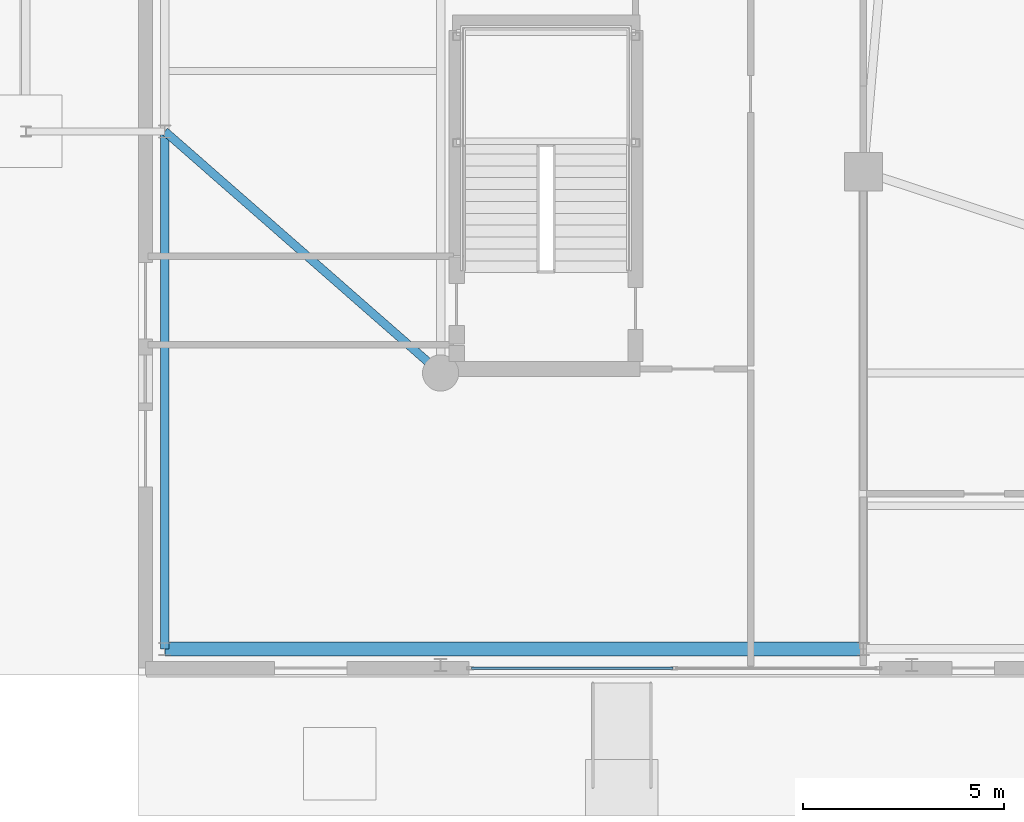
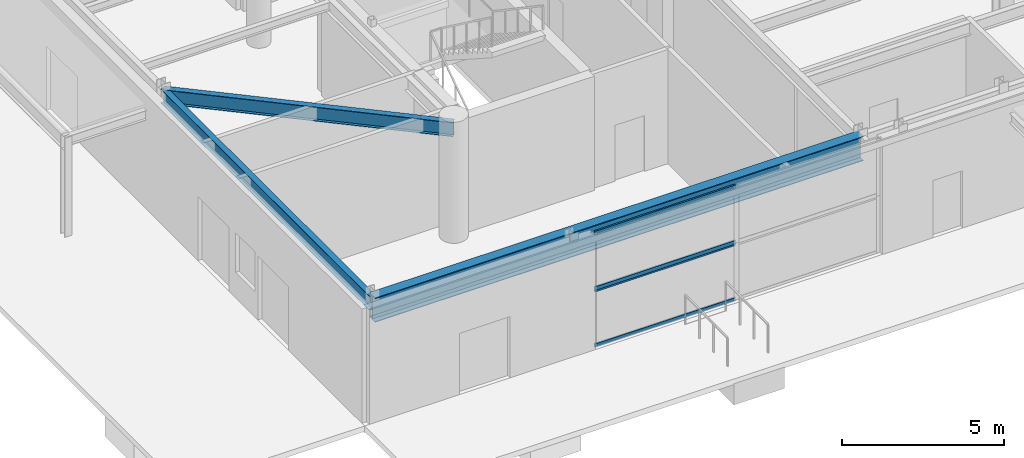
# One storey, part 8 of 29: 4 members, 3 beams, 2 elements without a shape of their own.
"""IFC4 building model written with IfcOpenShell, lengths in metres."""

import ifcopenshell
import ifcopenshell.guid

model = None  # the IFC model being written
_history = None  # IfcOwnerHistory: only IFC2X3 demands one
_inside = {}  # id of a spatial element -> (the spatial element, [elements in it])
_under = {}  # id of a project, library or spatial element -> (it, [spatial elements below it])
_declared = {}  # id of a project -> (the project, [libraries it declares])
_typed = {}  # id of a type object -> (the type object, [elements of that type])
_made_of = {}  # id of a material, layer set ... -> (it, [elements and type objects made of it])


def new_model(schema):
    """Start an empty IFC model of exactly this schema.

    Asked for "IFC4X3", IfcOpenShell would pick the latest addendum, in which some entities
    have other attributes; the version numbers below select the first issue.
    IFC2X3 requires an IfcOwnerHistory on every rooted entity: one is made here for all.
    """
    global model, _history
    if schema == "IFC4X3":
        model = ifcopenshell.file(schema_version=(4, 3, 0, 0))
    else:
        model = ifcopenshell.file(schema=schema)
    _inside.clear()
    _under.clear()
    _declared.clear()
    _typed.clear()
    _made_of.clear()
    _history = None
    if model.schema == "IFC2X3":
        org = make("IfcOrganization", Name="unknown")
        user = make(
            "IfcPersonAndOrganization",
            ThePerson=make("IfcPerson", FamilyName="unknown"),
            TheOrganization=org,
        )
        app = make(
            "IfcApplication",
            ApplicationDeveloper=org,
            Version="unknown",
            ApplicationFullName="unknown",
            ApplicationIdentifier="unknown",
        )
        _history = make(
            "IfcOwnerHistory",
            OwningUser=user,
            OwningApplication=app,
            ChangeAction="ADDED",
            CreationDate=0,
        )
    return model


def make(cls, **values):
    """One entity of the class cls with the attributes given. An attribute that is None is left unset."""
    return model.create_entity(
        cls, **{name: value for name, value in values.items() if value is not None}
    )


def rooted(cls, **values):
    """An entity with a GlobalId (a new one), such as an element, a storey or a relation."""
    return make(cls, GlobalId=ifcopenshell.guid.new(), OwnerHistory=_history, **values)


def si_unit(unit_type, name, prefix=None):
    """IfcSIUnit, for example si_unit("LENGTHUNIT", "METRE", prefix="MILLI")."""
    return make("IfcSIUnit", UnitType=unit_type, Prefix=prefix, Name=name)


def assignment(units):
    """IfcUnitAssignment: the units of a project."""
    return None if units is None else make("IfcUnitAssignment", Units=units)


def point(xyz):
    """IfcCartesianPoint."""
    return None if xyz is None else make("IfcCartesianPoint", Coordinates=xyz)


def direction(xyz):
    """IfcDirection."""
    return None if xyz is None else make("IfcDirection", DirectionRatios=xyz)


def frame(location, z_axis=None, x_axis=None):
    """IfcAxis2Placement3D, a coordinate frame: its origin and axes. An axis left out is left unset."""
    return make(
        "IfcAxis2Placement3D",
        Location=point(location),
        Axis=direction(z_axis),
        RefDirection=direction(x_axis),
    )


def frame_2d(location, x_axis=None):
    """IfcAxis2Placement2D, a coordinate frame in the plane: its origin and x axis."""
    return make(
        "IfcAxis2Placement2D", Location=point(location), RefDirection=direction(x_axis)
    )


def origin():
    """The frame at (0, 0, 0) with its axes left unset."""
    return frame((0.0, 0.0, 0.0))


def origin_2d():
    """The frame at (0, 0) in the plane with its x axis left unset."""
    return frame_2d((0.0, 0.0))


def place(relative_to, where):
    """IfcLocalPlacement: puts the frame where relative to a parent placement (None: the world)."""
    return make(
        "IfcLocalPlacement", PlacementRelTo=relative_to, RelativePlacement=where
    )


def context(
    kind, dimensions, precision=None, world=None, true_north=None, identifier=None
):
    """IfcGeometricRepresentationContext, for example the 3D "Model" context."""
    return make(
        "IfcGeometricRepresentationContext",
        ContextIdentifier=identifier,
        ContextType=kind,
        CoordinateSpaceDimension=dimensions,
        Precision=precision,
        WorldCoordinateSystem=world,
        TrueNorth=true_north,
    )


def subcontext(parent, identifier, kind, view, scale=None):
    """IfcGeometricRepresentationSubContext, for example "Body" below "Model"."""
    return make(
        "IfcGeometricRepresentationSubContext",
        ContextIdentifier=identifier,
        ContextType=kind,
        ParentContext=parent,
        TargetScale=scale,
        TargetView=view,
    )


def project(units=None, contexts=None):
    """IfcProject with its units and contexts."""
    return rooted(
        "IfcProject",
        Name="project",
        RepresentationContexts=contexts,
        UnitsInContext=assignment(units),
    )


def spatial(cls, under=None, at=None, **own):
    """A site, building, storey or space (cls), placed at a placement, below another one or the project."""
    s = rooted(cls, ObjectPlacement=at, **own)
    if under is not None:
        _under.setdefault(under.id(), (under, []))[1].append(s)
    return s


def profile(cls, at=None, kind="AREA", **sizes):
    """A parametric profile (cls). Its sizes go by their IFC names, for example OverallWidth=200.0."""
    return make(cls, ProfileType=kind, Position=at, **sizes)


def hollow_rectangle(**sizes):
    """IfcRectangleHollowProfileDef."""
    return profile("IfcRectangleHollowProfileDef", **sizes)


def i_section(**sizes):
    """IfcIShapeProfileDef."""
    return profile("IfcIShapeProfileDef", **sizes)


def extrude(swept, where, along, depth):
    """IfcExtrudedAreaSolid: the profile swept, set in the frame where, extruded along a direction by depth."""
    return make(
        "IfcExtrudedAreaSolid",
        SweptArea=swept,
        Position=where,
        ExtrudedDirection=direction(along),
        Depth=depth,
    )


def shape(context_of_items, identifier, shape_type, items):
    """IfcShapeRepresentation: the items that make up one representation, for example the "Body"."""
    return make(
        "IfcShapeRepresentation",
        ContextOfItems=context_of_items,
        RepresentationIdentifier=identifier,
        RepresentationType=shape_type,
        Items=items,
    )


def source(mapping_origin, context_of_items, identifier, shape_type, items):
    """IfcRepresentationMap: a shape defined once, which mapped items show again and again."""
    return make(
        "IfcRepresentationMap",
        MappingOrigin=mapping_origin,
        MappedRepresentation=shape(context_of_items, identifier, shape_type, items),
    )


def transform(
    local_origin,
    x_axis=None,
    y_axis=None,
    z_axis=None,
    scale=None,
    scale2=None,
    scale3=None,
    uniform=True,
):
    """IfcCartesianTransformationOperator3D, or its non-uniform kind. x_axis, y_axis, z_axis: its Axis1, 2, 3."""
    if uniform:
        return make(
            "IfcCartesianTransformationOperator3D",
            Axis1=direction(x_axis),
            Axis2=direction(y_axis),
            LocalOrigin=point(local_origin),
            Scale=scale,
            Axis3=direction(z_axis),
        )
    return make(
        "IfcCartesianTransformationOperator3DnonUniform",
        Axis1=direction(x_axis),
        Axis2=direction(y_axis),
        LocalOrigin=point(local_origin),
        Scale=scale,
        Axis3=direction(z_axis),
        Scale2=scale2,
        Scale3=scale3,
    )


def mapped(mapping_source, mapping_target):
    """IfcMappedItem: shows the shape of a source again, moved by a transform."""
    return make(
        "IfcMappedItem", MappingSource=mapping_source, MappingTarget=mapping_target
    )


def material(Name=None, Category=None):
    """IfcMaterial."""
    return make("IfcMaterial", Name=Name, Category=Category)


def layer(
    of_material, thickness, ventilated=None, Name=None, Category=None, Priority=None
):
    """IfcMaterialLayer: one layer of a wall or slab, of a material (None: an air gap)."""
    return make(
        "IfcMaterialLayer",
        Material=of_material,
        LayerThickness=thickness,
        IsVentilated=ventilated,
        Name=Name,
        Category=Category,
        Priority=Priority,
    )


def layer_set(layers, Name=None):
    """IfcMaterialLayerSet."""
    return make("IfcMaterialLayerSet", MaterialLayers=layers, LayerSetName=Name)


def material_profile(
    of_material, cross_section, Name=None, Category=None, Priority=None
):
    """IfcMaterialProfile: a cross section and its material."""
    return make(
        "IfcMaterialProfile",
        Name=Name,
        Material=of_material,
        Profile=cross_section,
        Priority=Priority,
        Category=Category,
    )


def profile_set(profiles, Name=None, composite=None):
    """IfcMaterialProfileSet."""
    return make(
        "IfcMaterialProfileSet",
        Name=Name,
        MaterialProfiles=profiles,
        CompositeProfile=composite,
    )


def made_of(thing, what):
    """Note that an element or type object is made of a material, layer set ...; save() writes the relation."""
    if what is not None:
        _made_of.setdefault(what.id(), (what, []))[1].append(thing)
    return thing


def type_object(cls, material=None, **own):
    """A type object (cls), such as IfcWallType, which elements share."""
    return made_of(rooted(cls, **own), material)


def element(
    cls,
    number,
    at=None,
    inside=None,
    cuts=None,
    type_object=None,
    material=None,
    context=None,
    identifier="Body",
    shape_type=None,
    held_by="IfcProductDefinitionShape",
    body=None,
    shapes=None,
    **own,
):
    """One element of the class cls, such as IfcWall. Its Tag is "e" and its number.

    at: its placement. inside: the storey or other place that contains it. cuts: it is an
    opening in that element (IfcRelVoidsElement). A single representation is given by context,
    identifier, shape_type and body (its items); several are given by shapes. held_by: the class
    of the entity that holds the representations. save() writes the other relations.
    """
    e = rooted(cls, Tag="e%d" % number, ObjectPlacement=at, **own)
    if body is not None:
        shapes = [shape(context, identifier, shape_type, body)]
    if shapes is not None:
        e.Representation = make(held_by, Representations=shapes)
    if inside is not None:
        _inside.setdefault(inside.id(), (inside, []))[1].append(e)
    if cuts is not None:
        rooted(
            "IfcRelVoidsElement", RelatingBuildingElement=cuts, RelatedOpeningElement=e
        )
    if type_object is not None:
        _typed.setdefault(type_object.id(), (type_object, []))[1].append(e)
    return made_of(e, material)


def aggregate(whole, parts):
    """IfcRelAggregates: a whole, such as a stair, and the parts it consists of."""
    return rooted("IfcRelAggregates", RelatingObject=whole, RelatedObjects=parts)


def save(model, path):
    """Write the relations noted so far, then the file.

    IfcRelAggregates (storeys below a building ...), IfcRelContainedInSpatialStructure (elements
    in a storey), IfcRelDefinesByType, IfcRelAssociatesMaterial and IfcRelDeclares: one each for
    every whole, place, type object, material and project.
    """
    for whole, parts in _under.values():
        aggregate(whole, parts)
    for where, things in _inside.values():
        rooted(
            "IfcRelContainedInSpatialStructure",
            RelatedElements=things,
            RelatingStructure=where,
        )
    for kind, things in _typed.values():
        rooted("IfcRelDefinesByType", RelatedObjects=things, RelatingType=kind)
    for what, things in _made_of.values():
        rooted("IfcRelAssociatesMaterial", RelatedObjects=things, RelatingMaterial=what)
    for by, libraries in _declared.values():
        rooted("IfcRelDeclares", RelatingContext=by, RelatedDefinitions=libraries)
    model.write(path)


model = new_model("IFC4")

# Units and contexts
model_context = context("Model", 3, precision=1e-05, world=origin(), true_north=direction((0.0, 1.0)))
body_context = subcontext(model_context, "Body", "Model", "MODEL_VIEW")
ifc_project = project(units=[si_unit("LENGTHUNIT", "METRE"), si_unit("AREAUNIT", "SQUARE_METRE"), si_unit("VOLUMEUNIT", "CUBIC_METRE"), si_unit("PLANEANGLEUNIT", "RADIAN"), si_unit("MASSUNIT", "GRAM", prefix="KILO")], contexts=[model_context])

# Site, building, storey
site_placement = place(None, origin())
site = spatial("IfcSite", under=ifc_project, at=site_placement, CompositionType="ELEMENT")
building_placement = place(site_placement, origin())
building = spatial("IfcBuilding", under=site, at=building_placement, Name="Taldren Reach Tower", CompositionType="ELEMENT")
storey_placement = place(building_placement, origin())
storey = spatial("IfcBuildingStorey", under=building, at=storey_placement, Name="L00", CompositionType="ELEMENT", Elevation=0.0)

# Beams
ifc_material_1 = material(Name="Steel Gr 350 (350PLUS)", Category="steel")
ifc_material_profile_1 = material_profile(ifc_material_1, i_section(OverallWidth=0.35009765625, OverallDepth=0.916015625, WebThickness=0.013916015625, FlangeThickness=0.028076171875, at=origin_2d()), Name="900WB257")
ifc_profile_set_1 = profile_set([ifc_material_profile_1], Name="Steel Gr 350 (350PLUS)")
beam_type_1 = type_object("IfcBeamType", Name="BM-WB900", PredefinedType="BEAM", material=ifc_profile_set_1)
shared_shape_1 = source(origin(), body_context, "Body", "SweptSolid", [
    extrude(i_section(OverallWidth=0.35009765625, OverallDepth=0.916015625, WebThickness=0.013916015625, FlangeThickness=0.028076171875, at=origin_2d()), origin(), (0.0, 0.0, 1.0), 17.35009765625),
])
beam_1_placement = place(storey_placement, frame((0.64990234375, 0.64990234375, 3.83203125), z_axis=(1.0, 0.0, 0.0), x_axis=(0.0, 1.0, 0.0)))
element("IfcBeam", 1, at=beam_1_placement, inside=storey, type_object=beam_type_1, Name="Podium girder L00-PD01", PredefinedType="BEAM", context=body_context, shape_type="MappedRepresentation", body=[
    mapped(shared_shape_1, transform((0.0, 0.0, 0.0), scale=1.0)),
])
ifc_material_profile_2 = material_profile(ifc_material_1, i_section(OverallWidth=0.208984375, OverallDepth=0.528076171875, WebThickness=0.009521484375, FlangeThickness=0.01318359375, at=origin_2d()), Name="530UB82.0")
ifc_profile_set_2 = profile_set([ifc_material_profile_2], Name="Steel Gr 350 (350PLUS)")
beam_type_2 = type_object("IfcBeamType", Name="SP-UB530B", PredefinedType="SPANDREL", material=ifc_profile_set_2)
shared_shape_2 = source(origin(), body_context, "Body", "SweptSolid", [
    extrude(i_section(OverallWidth=0.208984375, OverallDepth=0.528076171875, WebThickness=0.009521484375, FlangeThickness=0.01318359375, at=origin_2d()), origin(), (0.0, 0.0, 1.0), 12.85009765625),
])
beam_2_placement = place(storey_placement, frame((0.64990234375, 0.64990234375, 4.02587890625), z_axis=(0.0, 1.0, 0.0), x_axis=(-1.0, 0.0, 0.0)))
element("IfcBeam", 2, at=beam_2_placement, inside=storey, type_object=beam_type_2, Name="Podium beam L00-PD12", PredefinedType="SPANDREL", context=body_context, shape_type="MappedRepresentation", body=[
    mapped(shared_shape_2, transform((0.0, 0.0, 0.0), scale=1.0)),
])
ifc_material_profile_3 = material_profile(ifc_material_1, i_section(OverallWidth=0.208984375, OverallDepth=0.532958984375, WebThickness=0.01025390625, FlangeThickness=0.015625, at=origin_2d()), Name="530UB92.4")
ifc_profile_set_3 = profile_set([ifc_material_profile_3], Name="Steel Gr 350 (350PLUS)")
beam_type_3 = type_object("IfcBeamType", Name="BM-UB530A", PredefinedType="BEAM", material=ifc_profile_set_3)
shared_shape_3 = source(origin(), body_context, "Body", "SweptSolid", [
    extrude(i_section(OverallWidth=0.208984375, OverallDepth=0.532958984375, WebThickness=0.01025390625, FlangeThickness=0.015625, at=origin_2d()), origin(), (0.0, 0.0, 1.0), 9.106201171875),
])
beam_3_placement = place(storey_placement, frame((0.64990234375, 13.5, 4.0234375), z_axis=(0.75224111342, -0.658887932262, 0.0), x_axis=(0.658887932262, 0.75224111342, 0.0)))
element("IfcBeam", 3, at=beam_3_placement, inside=storey, type_object=beam_type_3, Name="Podium beam L00-PD18", PredefinedType="BEAM", context=body_context, shape_type="MappedRepresentation", body=[
    mapped(shared_shape_3, transform((0.0, 0.0, 0.0), scale=1.0)),
])

# Curtain wall, members
ifc_material_2 = material(Name="Aluminium and Low-E Glass Unitised System", Category="aluminium")
ifc_layer = layer(ifc_material_2, 0.159912109375)
ifc_layer_set = layer_set([ifc_layer], Name="Aluminium and Low-E Glass Unitised System")
curtain_wall_type = type_object("IfcCurtainWallType", Name="CW-SYS-1", PredefinedType="NOTDEFINED", material=ifc_layer_set)
curtain_wall_1_placement = place(storey_placement, origin())
curtain_wall_1 = element("IfcCurtainWall", 4, at=curtain_wall_1_placement, inside=storey, type_object=curtain_wall_type, Name="Unitised curtain wall CW1-L00-S1", PredefinedType="NOTDEFINED")
ifc_material_3 = material(Name="Anodised Aluminium 6063-T6", Category="aluminium")
ifc_material_profile_4 = material_profile(ifc_material_3, hollow_rectangle(XDim=0.06005859375, YDim=0.135009765625, WallThickness=0.00341796875, at=origin_2d()), Name="ALU-135x60x3.5RHS")
ifc_profile_set_4 = profile_set([ifc_material_profile_4], Name="Anodised Aluminium 6063-T6")
member_type = type_object("IfcMemberType", Name="CW-TRN-150", PredefinedType="USERDEFINED", material=ifc_profile_set_4)
shared_shape_4 = source(origin(), body_context, "Body", "SweptSolid", [
    extrude(hollow_rectangle(XDim=0.06005859375, YDim=0.135009765625, WallThickness=0.00341796875, at=origin_2d()), origin(), (0.0, 0.0, 1.0), 4.994873046875),
])
member_1_placement = place(storey_placement, frame((8.27001953125, 0.169921875, 0.030029296875), z_axis=(1.0, 0.0, 0.0), x_axis=(0.0, 1.0, 0.0)))
member_1 = element("IfcMember", 5, at=member_1_placement, type_object=member_type, Name="CW-1 transom 1.1", ObjectType="TRANSOM", PredefinedType="USERDEFINED", context=body_context, shape_type="MappedRepresentation", body=[
    mapped(shared_shape_4, transform((0.0, 0.0, 0.0), scale=1.0)),
])
member_2_placement = place(storey_placement, frame((8.27001953125, 0.169921875, 2.114990234375), z_axis=(1.0, 0.0, 0.0), x_axis=(0.0, 1.0, 0.0)))
member_2 = element("IfcMember", 6, at=member_2_placement, type_object=member_type, Name="CW-1 transom 1.2", ObjectType="TRANSOM", PredefinedType="USERDEFINED", context=body_context, shape_type="MappedRepresentation", body=[
    mapped(shared_shape_4, transform((0.0, 0.0, 0.0), scale=1.0)),
])
aggregate(curtain_wall_1, [member_1, member_2])

curtain_wall_2_placement = place(storey_placement, origin())
curtain_wall_2 = element("IfcCurtainWall", 7, at=curtain_wall_2_placement, inside=storey, type_object=curtain_wall_type, Name="Unitised curtain wall CW1-L00-S1-T2", PredefinedType="NOTDEFINED")
member_3_placement = place(storey_placement, frame((8.27001953125, 0.169921875, 2.175048828125), z_axis=(1.0, 0.0, 0.0), x_axis=(0.0, 1.0, 0.0)))
member_3 = element("IfcMember", 8, at=member_3_placement, type_object=member_type, Name="CW-1 transom 1.1", ObjectType="TRANSOM", PredefinedType="USERDEFINED", context=body_context, shape_type="MappedRepresentation", body=[
    mapped(shared_shape_4, transform((0.0, 0.0, 0.0), scale=1.0)),
])
member_4_placement = place(storey_placement, frame((8.27001953125, 0.169921875, 4.260009765625), z_axis=(1.0, 0.0, 0.0), x_axis=(0.0, 1.0, 0.0)))
member_4 = element("IfcMember", 9, at=member_4_placement, type_object=member_type, Name="CW-1 transom 1.2", ObjectType="TRANSOM", PredefinedType="USERDEFINED", context=body_context, shape_type="MappedRepresentation", body=[
    mapped(shared_shape_4, transform((0.0, 0.0, 0.0), scale=1.0)),
])
aggregate(curtain_wall_2, [member_3, member_4])

save(model, "model.ifc")
